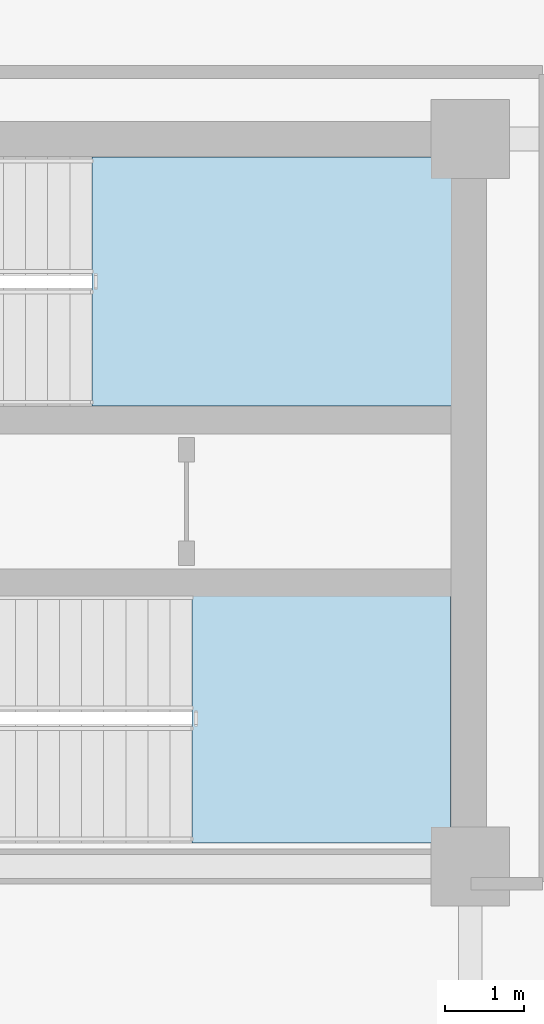
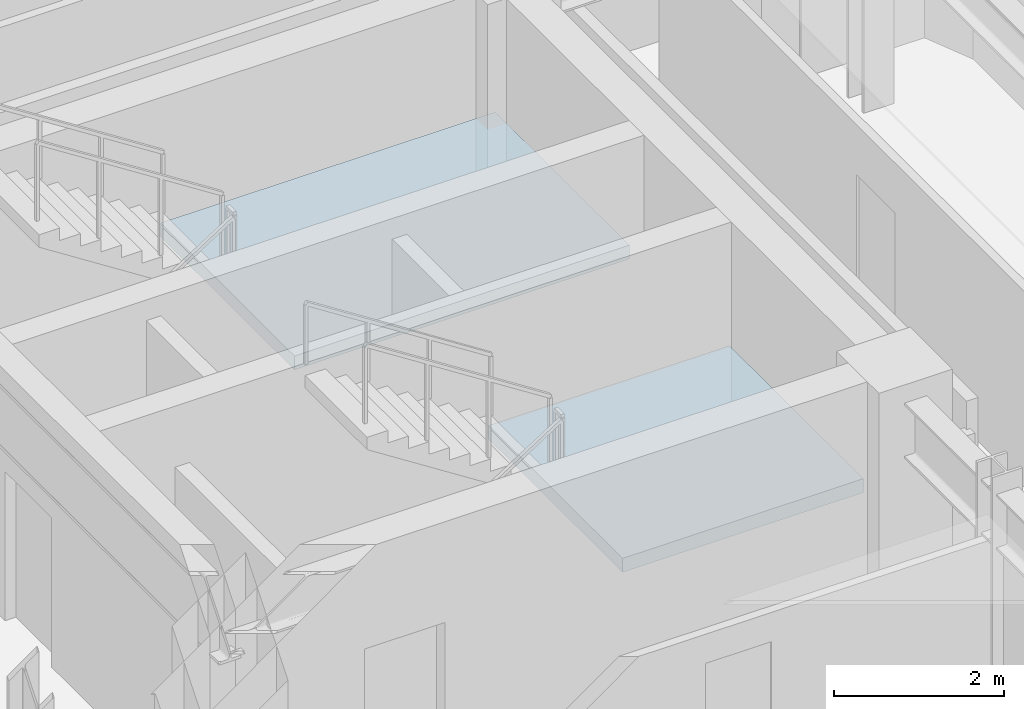
# One storey, part 4 of 14: 2 slabs, 2 elements without a shape of their own.
"""IFC4 building model written with IfcOpenShell, lengths in metres."""

from ifc_helpers import new_model, si_unit, direction, frame, origin, place, context, subcontext, project, spatial, polyline, outline, extrude, material, layer, layer_set, type_object, element, aggregate, save


model = new_model("IFC4")

# Units and contexts
model_context = context("Model", 3, precision=1e-05, world=origin(), true_north=direction((0.0, 1.0)))
body_context = subcontext(model_context, "Body", "Model", "MODEL_VIEW")
ifc_project = project(units=[si_unit("LENGTHUNIT", "METRE"), si_unit("AREAUNIT", "SQUARE_METRE"), si_unit("VOLUMEUNIT", "CUBIC_METRE"), si_unit("PLANEANGLEUNIT", "RADIAN"), si_unit("MASSUNIT", "GRAM", prefix="KILO")], contexts=[model_context])

# Site, building, storey
site_placement = place(None, origin())
site = spatial("IfcSite", under=ifc_project, at=site_placement, CompositionType="ELEMENT")
building_placement = place(site_placement, origin())
building = spatial("IfcBuilding", under=site, at=building_placement, Name="Zarnavel Station Tower", CompositionType="ELEMENT")
storey_placement = place(building_placement, frame((0.0, 0.0, 218.39990234375)))
storey = spatial("IfcBuildingStorey", under=building, at=storey_placement, Name="L59", CompositionType="ELEMENT", Elevation=218.39990234375)

# Stair, slab
ifc_material_1 = material(Name="Concrete C45/55", Category="concrete")
stair_type = type_object("IfcStairType", Name="ST_CORE_150", PredefinedType="HALF_TURN_STAIR", material=ifc_material_1)
stair_1_placement = place(storey_placement, origin())
stair_1 = element("IfcStair", 1, at=stair_1_placement, inside=storey, type_object=stair_type, Name="L59 Core Exit Stair ST2", PredefinedType="HALF_TURN_STAIR")
ifc_material_2 = material(Name="Concrete C45/55", Category="concrete")
ifc_layer = layer(ifc_material_2, 0.199951171875)
ifc_layer_set = layer_set([ifc_layer], Name="SL_STAIR_LAND_200")
slab_type = type_object("IfcSlabType", Name="SL_STAIR_LAND_200", PredefinedType="LANDING", material=ifc_layer_set)
slab_1_placement = place(storey_placement, frame((0.0, 0.0, 1.60009765625)))
slab_1 = element("IfcSlab", 2, at=slab_1_placement, type_object=slab_type, Name="ST2 landing 1", PredefinedType="LANDING", context=body_context, shape_type="SweptSolid", body=[
    extrude(outline(polyline([(40.60009765625, 33.659912109375), (45.159912109375, 33.659912109375), (45.159912109375, 36.820068359375), (40.60009765625, 36.820068359375), (40.60009765625, 33.659912109375)])), origin(), (0.0, 0.0, 1.0), 0.199951171875),
])
aggregate(stair_1, [slab_1])

stair_2_placement = place(storey_placement, origin())
stair_2 = element("IfcStair", 3, at=stair_2_placement, inside=storey, type_object=stair_type, Name="L59 Core Exit Stair ST3", PredefinedType="HALF_TURN_STAIR")
slab_2_placement = place(storey_placement, frame((0.0, 0.0, 1.60009765625)))
slab_2 = element("IfcSlab", 4, at=slab_2_placement, type_object=slab_type, Name="ST3 landing 1", PredefinedType="LANDING", context=body_context, shape_type="SweptSolid", body=[
    extrude(outline(polyline([(41.8701171875, 28.1201171875), (45.14990234375, 28.1201171875), (45.14990234375, 31.280029296875), (41.8701171875, 31.280029296875), (41.8701171875, 28.1201171875)])), origin(), (0.0, 0.0, 1.0), 0.199951171875),
])
aggregate(stair_2, [slab_2])

save(model, "model.ifc")
